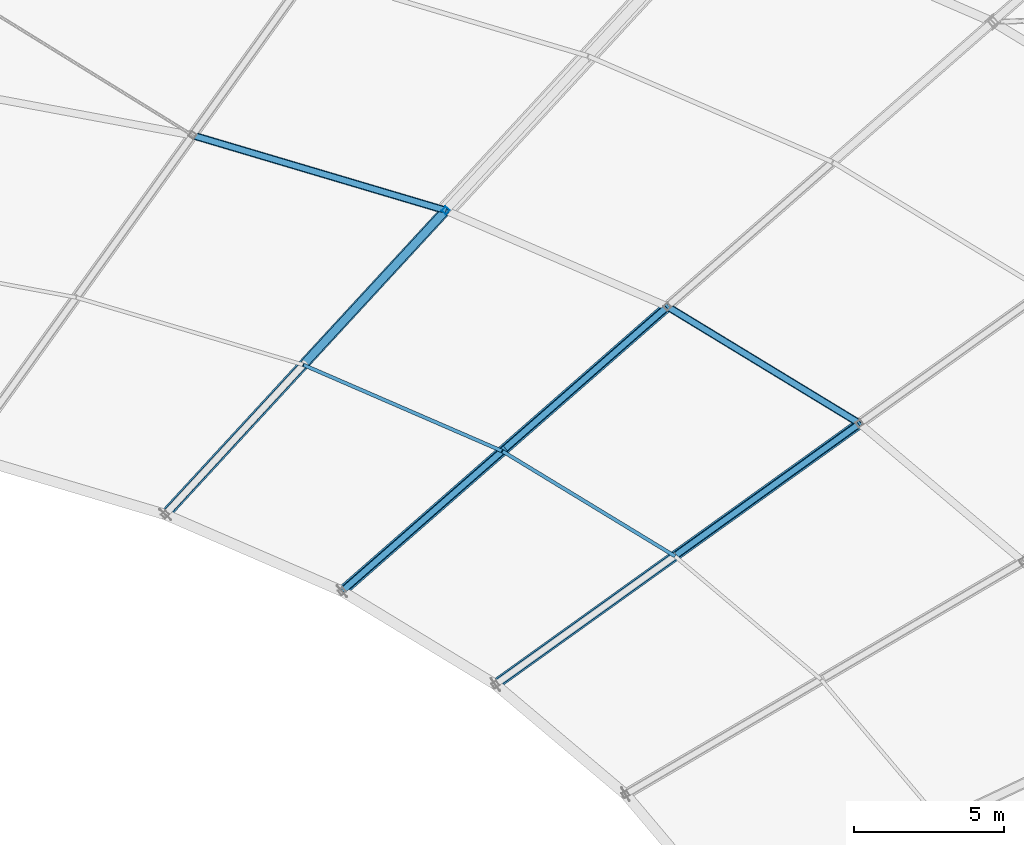
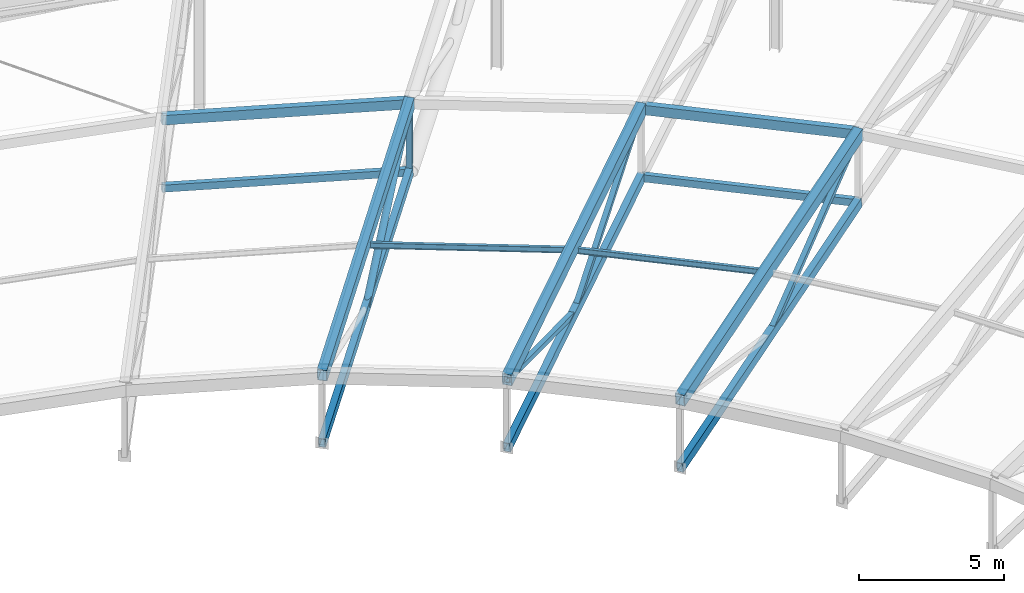
# One storey, part 78 of 143: 9 members, 8 beams.
"""IFC4 building model written with IfcOpenShell, lengths in metres."""

from ifc_helpers import new_model, si_unit, direction, frame, origin, origin_2d, place, context, subcontext, project, spatial, hollow_rectangle, hollow_circle, i_section, extrude, material, material_profile, profile_set, type_object, element, save


model = new_model("IFC4")

# Units and contexts
model_context = context("Model", 3, precision=1e-05, world=origin(), true_north=direction((0.0, 1.0)))
body_context = subcontext(model_context, "Body", "Model", "MODEL_VIEW")
ifc_project = project(units=[si_unit("LENGTHUNIT", "METRE"), si_unit("AREAUNIT", "SQUARE_METRE"), si_unit("VOLUMEUNIT", "CUBIC_METRE"), si_unit("PLANEANGLEUNIT", "RADIAN"), si_unit("MASSUNIT", "GRAM", prefix="KILO")], contexts=[model_context])

# Site, building, storey
site_placement = place(None, origin())
site = spatial("IfcSite", under=ifc_project, at=site_placement, CompositionType="ELEMENT")
building_placement = place(site_placement, origin())
building = spatial("IfcBuilding", under=site, at=building_placement, Name="Mphavela Belvedere Stadium", CompositionType="ELEMENT")
storey_placement = place(building_placement, frame((0.0, 0.0, 28.800048828125)))
storey = spatial("IfcBuildingStorey", under=building, at=storey_placement, Name="RF", CompositionType="ELEMENT", Elevation=28.800048828125)

# Beams
ifc_material_1 = material(Name="Steel S355", Category="steel")
ifc_material_profile_1 = material_profile(ifc_material_1, hollow_rectangle(XDim=0.25, YDim=0.39990234375, WallThickness=0.01611328125, at=origin_2d()), Name="RHS 400x250x16")
ifc_profile_set_1 = profile_set([ifc_material_profile_1], Name="Steel S355")
beam_type_1 = type_object("IfcBeamType", Name="BM-RING-MID", PredefinedType="BEAM", material=ifc_profile_set_1)
beam_1_placement = place(storey_placement, frame((174.9267578125, 129.937255859375, 6.124267578125), z_axis=(-0.847674342675, 0.515707335878, 0.124475509606), x_axis=(-0.519749594585, -0.854318651868, 0.0)))
element("IfcBeam", 1, at=beam_1_placement, inside=storey, type_object=beam_type_1, Name="Intermediate roof ring beam RB-MID-07", PredefinedType="BEAM", context=body_context, shape_type="SweptSolid", body=[
    extrude(hollow_rectangle(XDim=0.25, YDim=0.39990234375, WallThickness=0.01611328125, at=origin_2d()), origin(), (0.0, 0.0, 1.0), 7.55517578125),
])
beam_2_placement = place(storey_placement, frame((161.13427734375, 137.0361328125, 7.941162109375), z_axis=(-0.955164887659, 0.283529138339, 0.085271713345), x_axis=(-0.284565601841, -0.958656569502, 0.0)))
element("IfcBeam", 2, at=beam_2_placement, inside=storey, type_object=beam_type_1, Name="Intermediate roof ring beam RB-MID-09", PredefinedType="BEAM", context=body_context, shape_type="SweptSolid", body=[
    extrude(hollow_rectangle(XDim=0.25, YDim=0.39990234375, WallThickness=0.01611328125, at=origin_2d()), origin(), (0.0, 0.0, 1.0), 8.826904296875),
])
ifc_material_2 = material(Name="Steel S355", Category="steel")
ifc_material_profile_2 = material_profile(ifc_material_2, hollow_rectangle(XDim=0.25, YDim=0.39990234375, WallThickness=0.01611328125, at=origin_2d()), Name="RHS 400x250x16")
ifc_profile_set_2 = profile_set([ifc_material_profile_2], Name="Steel S355")
beam_type_2 = type_object("IfcBeamType", Name="BM-TRUSS-BC2", PredefinedType="BEAM", material=ifc_profile_set_2)
beam_3_placement = place(storey_placement, frame((174.9267578125, 129.937255859375, 3.22412109375), z_axis=(-0.80779940347, -0.578789637771, -0.111636369355), x_axis=(0.582430337712, -0.812880619595, 0.0)))
element("IfcBeam", 3, at=beam_3_placement, inside=storey, type_object=beam_type_2, Name="Radial roof truss RT-07 bottom chord 3", PredefinedType="BEAM", context=body_context, shape_type="SweptSolid", body=[
    extrude(hollow_rectangle(XDim=0.25, YDim=0.39990234375, WallThickness=0.01611328125, at=origin_2d()), origin(), (0.0, 0.0, 1.0), 15.02197265625),
])
beam_4_placement = place(storey_placement, frame((168.5224609375, 133.83349609375, 4.164794921875), z_axis=(-0.746318226977, -0.653045260603, -0.128611786727), x_axis=(0.658514209396, -0.752568293263, 0.0)))
element("IfcBeam", 4, at=beam_4_placement, inside=storey, type_object=beam_type_2, Name="Radial roof truss RT-08 bottom chord 3", PredefinedType="BEAM", context=body_context, shape_type="SweptSolid", body=[
    extrude(hollow_rectangle(XDim=0.25, YDim=0.39990234375, WallThickness=0.01611328125, at=origin_2d()), origin(), (0.0, 0.0, 1.0), 14.521728515625),
])
beam_5_placement = place(storey_placement, frame((161.13427734375, 137.0361328125, 5.041259765625), z_axis=(-0.670518818066, -0.727224831427, -0.146794275009), x_axis=(0.735189102669, -0.677862068061, 0.0)))
element("IfcBeam", 5, at=beam_5_placement, inside=storey, type_object=beam_type_2, Name="Radial roof truss RT-09 bottom chord 3", PredefinedType="BEAM", context=body_context, shape_type="SweptSolid", body=[
    extrude(hollow_rectangle(XDim=0.25, YDim=0.39990234375, WallThickness=0.01611328125, at=origin_2d()), origin(), (0.0, 0.0, 1.0), 13.93212890625),
])
ifc_material_3 = material(Name="Steel S355", Category="steel")
ifc_material_profile_3 = material_profile(ifc_material_3, hollow_rectangle(XDim=0.35009765625, YDim=0.5, WallThickness=0.02001953125, at=origin_2d()), Name="RHS 500x350x20")
ifc_profile_set_3 = profile_set([ifc_material_profile_3], Name="Steel S355")
beam_type_3 = type_object("IfcBeamType", Name="BM-TRUSS-TC2", PredefinedType="BEAM", material=ifc_profile_set_3)
beam_6_placement = place(storey_placement, frame((174.9267578125, 129.937255859375, 6.124267578125), z_axis=(-0.807493132765, -0.578570194293, -0.114940727392), x_axis=(0.582430337712, -0.812880619595, 0.0)))
element("IfcBeam", 6, at=beam_6_placement, inside=storey, type_object=beam_type_3, Name="Radial roof truss RT-07 top chord 3", PredefinedType="BEAM", context=body_context, shape_type="SweptSolid", body=[
    extrude(hollow_rectangle(XDim=0.35009765625, YDim=0.5, WallThickness=0.02001953125, at=origin_2d()), origin(), (0.0, 0.0, 1.0), 15.027587890625),
])
beam_7_placement = place(storey_placement, frame((168.5224609375, 133.83349609375, 7.064697265625), z_axis=(-0.74598486536, -0.652753561679, -0.131982454779), x_axis=(0.658514209396, -0.752568293263, 0.0)))
element("IfcBeam", 7, at=beam_7_placement, inside=storey, type_object=beam_type_3, Name="Radial roof truss RT-08 top chord 3", PredefinedType="BEAM", context=body_context, shape_type="SweptSolid", body=[
    extrude(hollow_rectangle(XDim=0.35009765625, YDim=0.5, WallThickness=0.02001953125, at=origin_2d()), origin(), (0.0, 0.0, 1.0), 14.5283203125),
])
beam_8_placement = place(storey_placement, frame((161.13427734375, 137.0361328125, 7.941162109375), z_axis=(-0.670162956459, -0.726838874479, -0.150289262214), x_axis=(0.735189102669, -0.677862068061, 0.0)))
element("IfcBeam", 8, at=beam_8_placement, inside=storey, type_object=beam_type_3, Name="Radial roof truss RT-09 top chord 3", PredefinedType="BEAM", context=body_context, shape_type="SweptSolid", body=[
    extrude(hollow_rectangle(XDim=0.35009765625, YDim=0.5, WallThickness=0.02001953125, at=origin_2d()), origin(), (0.0, 0.0, 1.0), 13.939697265625),
])

# Members
ifc_material_4 = material(Name="Steel S355", Category="steel")
ifc_material_profile_4 = material_profile(ifc_material_4, hollow_circle(Radius=0.136474609375, WallThickness=0.012451171875, at=origin_2d()), Name="CHS 273x12.5")
ifc_profile_set_4 = profile_set([ifc_material_profile_4], Name="Steel S355")
member_type_1 = type_object("IfcMemberType", Name="MEM-DIAG-273", PredefinedType="BRACE", material=ifc_profile_set_4)
member_1_placement = place(storey_placement, frame((161.13427734375, 137.0361328125, 7.941162109375), z_axis=(-0.589096924477, -0.638917059529, -0.494721946769), x_axis=(0.735189102669, -0.677862068061, 0.0)))
element("IfcMember", 9, at=member_1_placement, inside=storey, type_object=member_type_1, Name="Radial roof truss RT-09 web diagonal D5", PredefinedType="BRACE", context=body_context, shape_type="SweptSolid", body=[
    extrude(hollow_circle(Radius=0.136474609375, WallThickness=0.012451171875, at=origin_2d()), origin(), (0.0, 0.0, 1.0), 7.928955078125),
])
ifc_material_5 = material(Name="Steel S355", Category="steel")
ifc_material_profile_5 = material_profile(ifc_material_5, hollow_rectangle(XDim=0.199951171875, YDim=0.199951171875, WallThickness=0.010009765625, at=origin_2d()), Name="SHS 200x200x10")
ifc_profile_set_5 = profile_set([ifc_material_profile_5], Name="Steel S355")
member_type_2 = type_object("IfcMemberType", Name="MEM-POST-SHS200", PredefinedType="POST", material=ifc_profile_set_5)
member_2_placement = place(storey_placement, frame((174.9267578125, 129.937255859375, 6.124267578125), z_axis=(-0.726803658367, -0.520770672161, -0.447832947874), x_axis=(0.582441144155, -0.812872876652, 0.0)))
element("IfcMember", 10, at=member_2_placement, inside=storey, type_object=member_type_2, Name="Radial roof truss RT-07 web diagonal D5", PredefinedType="POST", context=body_context, shape_type="SweptSolid", body=[
    extrude(hollow_rectangle(XDim=0.199951171875, YDim=0.199951171875, WallThickness=0.010009765625, at=origin_2d()), origin(), (0.0, 0.0, 1.0), 8.34814453125),
])
member_3_placement = place(storey_placement, frame((168.5224609375, 133.83349609375, 7.064697265625), z_axis=(-0.664282779611, -0.58126239618, -0.469960014788), x_axis=(0.658514209396, -0.752568293263, 0.0)))
element("IfcMember", 11, at=member_3_placement, inside=storey, type_object=member_type_2, Name="Radial roof truss RT-08 web diagonal D5", PredefinedType="POST", context=body_context, shape_type="SweptSolid", body=[
    extrude(hollow_rectangle(XDim=0.199951171875, YDim=0.199951171875, WallThickness=0.010009765625, at=origin_2d()), origin(), (0.0, 0.0, 1.0), 8.157470703125),
])
member_4_placement = place(storey_placement, frame((163.103515625, 129.091796875, 3.23095703125), z_axis=(-0.7272557763, -0.636365186849, 0.257173841601), x_axis=(0.658514209396, -0.752568293263, 0.0)))
element("IfcMember", 12, at=member_4_placement, inside=storey, type_object=member_type_2, Name="Radial roof truss RT-08 web diagonal D6", PredefinedType="POST", context=body_context, shape_type="SweptSolid", body=[
    extrude(hollow_rectangle(XDim=0.199951171875, YDim=0.199951171875, WallThickness=0.010009765625, at=origin_2d()), origin(), (0.0, 0.0, 1.0), 7.451171875),
])
member_5_placement = place(storey_placement, frame((161.13427734375, 137.0361328125, 5.041259765625), z_axis=(0.0, 0.0, 1.0), x_axis=(0.677903094969, 0.735151272753, 0.0)))
element("IfcMember", 13, at=member_5_placement, inside=storey, type_object=member_type_2, Name="Radial roof truss RT-09 post P3", PredefinedType="POST", context=body_context, shape_type="SweptSolid", body=[
    extrude(hollow_rectangle(XDim=0.199951171875, YDim=0.199951171875, WallThickness=0.010009765625, at=origin_2d()), origin(), (0.0, 0.0, 1.0), 2.89990234375),
])
ifc_material_6 = material(Name="Steel S355", Category="steel")
ifc_material_profile_6 = material_profile(ifc_material_6, i_section(OverallWidth=0.1201171875, OverallDepth=0.239990234375, WebThickness=0.006103515625, FlangeThickness=0.009765625, at=origin_2d()), Name="IPE 240")
ifc_profile_set_6 = profile_set([ifc_material_profile_6], Name="Steel S355")
member_type_3 = type_object("IfcMemberType", Name="MEM-PURLIN-IPE240", PredefinedType="PURLIN", material=ifc_profile_set_6)
member_6_placement = place(storey_placement, frame((168.76611328125, 125.523193359375, 5.08740234375), z_axis=(-0.847687512929, 0.515686174801, 0.124473489322), x_axis=(-0.519728134886, -0.85433170713, 0.0)))
element("IfcMember", 14, at=member_6_placement, inside=storey, type_object=member_type_3, Name="Saddle canopy steel purlin 07-1", PredefinedType="PURLIN", context=body_context, shape_type="SweptSolid", body=[
    extrude(i_section(OverallWidth=0.1201171875, OverallDepth=0.239990234375, WebThickness=0.006103515625, FlangeThickness=0.009765625, at=origin_2d()), origin(), (0.0, 0.0, 1.0), 6.778564453125),
])
member_7_placement = place(storey_placement, frame((163.02001953125, 129.018798828125, 5.93115234375), z_axis=(-0.912118638699, 0.395385792223, 0.108211202035), x_axis=(-0.397721240277, -0.917506302448, 0.0)))
element("IfcMember", 15, at=member_7_placement, inside=storey, type_object=member_type_3, Name="Saddle canopy steel purlin 08-1", PredefinedType="PURLIN", context=body_context, shape_type="SweptSolid", body=[
    extrude(i_section(OverallWidth=0.1201171875, OverallDepth=0.239990234375, WebThickness=0.006103515625, FlangeThickness=0.009765625, at=origin_2d()), origin(), (0.0, 0.0, 1.0), 7.26708984375),
])
ifc_material_7 = material(Name="Steel S355", Category="steel")
ifc_material_profile_7 = material_profile(ifc_material_7, hollow_rectangle(XDim=0.199951171875, YDim=0.300048828125, WallThickness=0.011962890625, at=origin_2d()), Name="RHS 300x200x12")
ifc_profile_set_7 = profile_set([ifc_material_profile_7], Name="Steel S355")
member_type_4 = type_object("IfcMemberType", Name="MEM-SEC-CHORD", PredefinedType="CHORD", material=ifc_profile_set_7)
member_8_placement = place(storey_placement, frame((174.9267578125, 129.937255859375, 3.22412109375), z_axis=(-0.847670932597, 0.515705261258, 0.124507323242), x_axis=(-0.519749594585, -0.854318651868, 0.0)))
element("IfcMember", 16, at=member_8_placement, inside=storey, type_object=member_type_4, Name="Secondary bottom roof tie chord 07", PredefinedType="CHORD", context=body_context, shape_type="SweptSolid", body=[
    extrude(hollow_rectangle(XDim=0.199951171875, YDim=0.300048828125, WallThickness=0.011962890625, at=origin_2d()), origin(), (0.0, 0.0, 1.0), 7.55517578125),
])
member_9_placement = place(storey_placement, frame((161.13427734375, 137.0361328125, 5.041259765625), z_axis=(-0.955167140061, 0.283529806937, 0.08524425568), x_axis=(-0.284565601841, -0.958656569502, 0.0)))
element("IfcMember", 17, at=member_9_placement, inside=storey, type_object=member_type_4, Name="Secondary bottom roof tie chord 09", PredefinedType="CHORD", context=body_context, shape_type="SweptSolid", body=[
    extrude(hollow_rectangle(XDim=0.199951171875, YDim=0.300048828125, WallThickness=0.011962890625, at=origin_2d()), origin(), (0.0, 0.0, 1.0), 8.826904296875),
])

save(model, "model.ifc")
